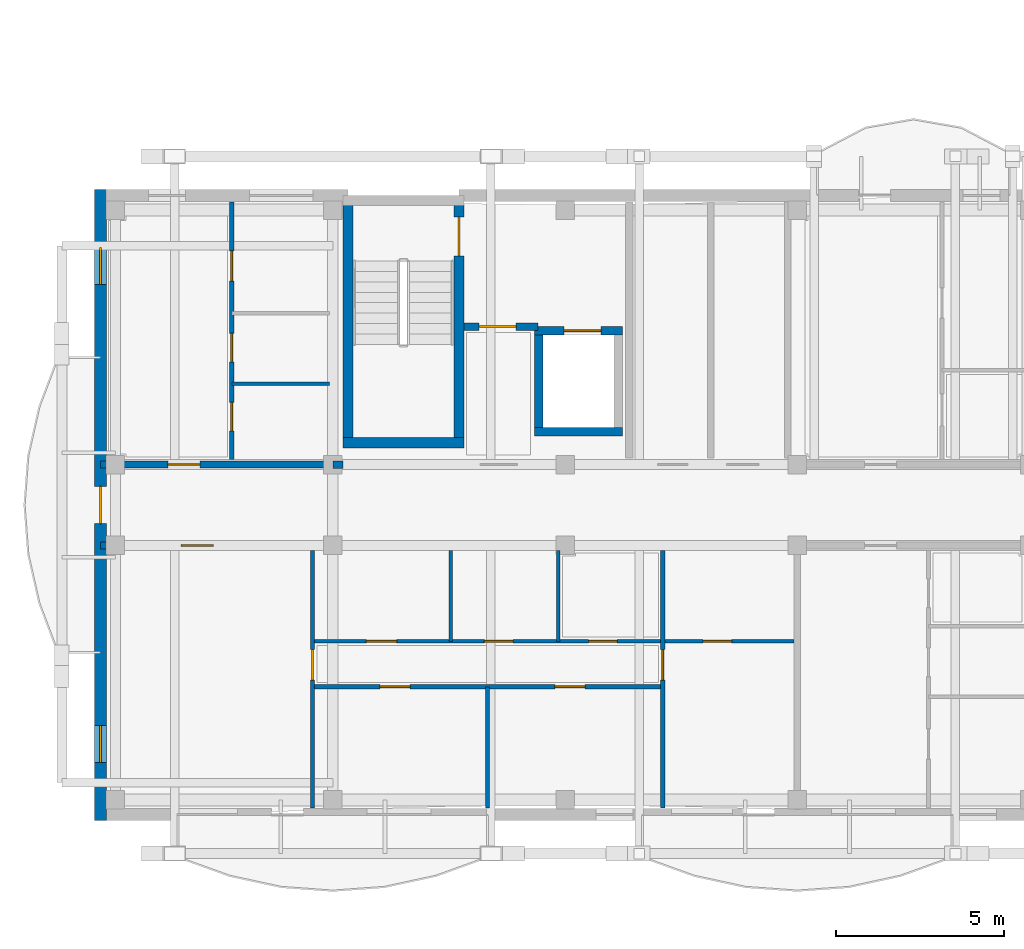
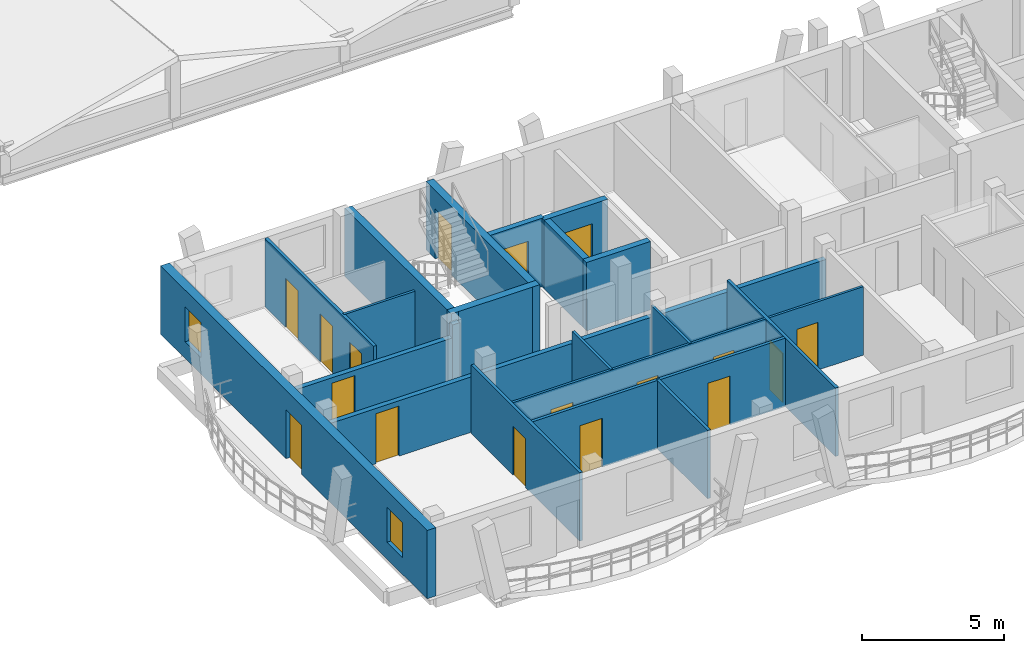
# One storey, part 17 of 50: 20 walls, 17 doors, 2 windows, 19 openings.
"""IFC4 building model written with IfcOpenShell, lengths in metres."""

from ifc_helpers import new_model, si_unit, direction, frame, frame_2d, origin, origin_with_axes, place, context, subcontext, project, spatial, rectangle, extrude, material, layer, layer_set, type_object, element, fill, save


model = new_model("IFC4")

# Units and contexts
model_context = context("Model", 3, precision=1e-05, world=origin(), true_north=direction((0.0, 1.0)))
body_context = subcontext(model_context, "Body", "Model", "MODEL_VIEW")
ifc_project = project(units=[si_unit("LENGTHUNIT", "METRE"), si_unit("AREAUNIT", "SQUARE_METRE"), si_unit("VOLUMEUNIT", "CUBIC_METRE"), si_unit("PLANEANGLEUNIT", "RADIAN"), si_unit("MASSUNIT", "GRAM", prefix="KILO")], contexts=[model_context])

# Site, building, storey
site_placement = place(None, origin())
site = spatial("IfcSite", under=ifc_project, at=site_placement, CompositionType="ELEMENT")
building_placement = place(site_placement, origin())
building = spatial("IfcBuilding", under=site, at=building_placement, Name="Zavelmont Quarter", CompositionType="ELEMENT")
storey_placement = place(building_placement, frame((0.0, 0.0, 11.199951171875)))
storey = spatial("IfcBuildingStorey", under=building, at=storey_placement, Name="L03", CompositionType="ELEMENT", Elevation=11.199951171875)

# Wall, openings, door, windows
ifc_material_1 = material(Name="Natural Belgian limestone", Category="masonry")
ifc_layer_1 = layer(ifc_material_1, 0.360107421875)
ifc_layer_set_1 = layer_set([ifc_layer_1], Name="Natural Belgian limestone")
wall_type_1 = type_object("IfcWallType", Name="EW02", PredefinedType="STANDARD", material=ifc_layer_set_1)
wall_1_placement = place(storey_placement, frame((0.0, -0.179931640625, 0.0), z_axis=(0.0, 0.0, 1.0), x_axis=(0.0, 1.0, 0.0)))
wall_1 = element("IfcWall", 1, at=wall_1_placement, inside=storey, type_object=wall_type_1, Name="L03 exterior limestone wall EW02", PredefinedType="STANDARD", context=body_context, shape_type="SweptSolid", body=[
    extrude(rectangle(XDim=18.760009765625, YDim=0.360107421875, at=frame_2d((9.3798828125, 0.0))), origin(), (0.0, 0.0, 1.0), 2.93994140625),
])
opening_1_placement = place(wall_1_placement, frame((8.830078125, 0.0, 0.0)))
opening_1 = element("IfcOpeningElement", 2, at=opening_1_placement, cuts=wall_1, Name="Opening DR04B", PredefinedType="OPENING", context=body_context, shape_type="SweptSolid", body=[
    extrude(rectangle(XDim=1.10009765625, YDim=2.10009765625, at=frame_2d((0.550048828125, 1.050048828125))), frame((0.0, 0.19189453125, 0.0), z_axis=(0.0, -1.0, 0.0), x_axis=(1.0, 0.0, 0.0)), (0.0, 0.0, 1.0), 0.384033203125),
])
opening_2_placement = place(wall_1_placement, frame((1.72998046875, 0.0, 0.719970703125)))
opening_2 = element("IfcOpeningElement", 3, at=opening_2_placement, cuts=wall_1, Name="Opening WN09", PredefinedType="OPENING", context=body_context, shape_type="SweptSolid", body=[
    extrude(rectangle(XDim=1.10009765625, YDim=1.5, at=frame_2d((0.550048828125, 0.75))), frame((0.0, 0.19189453125, 0.0), z_axis=(0.0, -1.0, 0.0), x_axis=(1.0, 0.0, 0.0)), (0.0, 0.0, 1.0), 0.384033203125),
])
opening_3_placement = place(wall_1_placement, frame((15.929931640625, 0.0, 0.719970703125)))
opening_3 = element("IfcOpeningElement", 4, at=opening_3_placement, cuts=wall_1, Name="Opening WN09", PredefinedType="OPENING", context=body_context, shape_type="SweptSolid", body=[
    extrude(rectangle(XDim=1.10009765625, YDim=1.5, at=frame_2d((0.550048828125, 0.75))), frame((0.0, 0.19189453125, 0.0), z_axis=(0.0, -1.0, 0.0), x_axis=(1.0, 0.0, 0.0)), (0.0, 0.0, 1.0), 0.384033203125),
])
ifc_material_2 = material(Name="Thermally broken aluminium and double safety glass", Category="aluminium")
door_type_1 = type_object("IfcDoorType", Name="DR04B", OperationType="NOTDEFINED", PredefinedType="DOOR", material=ifc_material_2)
door_1_placement = place(opening_1_placement, frame((1.10009765625, 0.0, 0.0), z_axis=(0.0, 0.0, 1.0), x_axis=(-1.0, 0.0, 0.0)))
door_1 = element("IfcDoor", 5, at=door_1_placement, inside=storey, type_object=door_type_1, Name="Block A L03 terrace or vase balcony door", OperationType="SINGLE_SWING_LEFT", OverallHeight=2.10009765625, OverallWidth=1.10009765625, PredefinedType="DOOR", context=body_context, shape_type="SweptSolid", body=[
    extrude(rectangle(XDim=1.10009765625, YDim=2.10009765625, at=frame_2d((0.550048828125, 1.050048828125))), frame((0.0, 0.02490234375, 0.0), z_axis=(0.0, -1.0, 0.0), x_axis=(1.0, 0.0, 0.0)), (0.0, 0.0, 1.0), 0.050048828125),
])
fill(opening_1, door_1)
ifc_material_3 = material(Name="Double low-E insulated glazing in thermally broken aluminium frame", Category="aluminium")
window_type = type_object("IfcWindowType", Name="WN09", PartitioningType="SINGLE_PANEL", PredefinedType="WINDOW", material=ifc_material_3)
window_1_placement = place(opening_2_placement, origin_with_axes())
window_1 = element("IfcWindow", 6, at=window_1_placement, inside=storey, type_object=window_type, Name="L03 window WN09", OverallHeight=1.5, OverallWidth=1.10009765625, PartitioningType="SINGLE_PANEL", PredefinedType="WINDOW", context=body_context, shape_type="SweptSolid", body=[
    extrude(rectangle(XDim=1.10009765625, YDim=1.5, at=frame_2d((0.550048828125, 0.75))), frame((0.0, 0.030029296875, 0.0), z_axis=(0.0, -1.0, 0.0), x_axis=(1.0, 0.0, 0.0)), (0.0, 0.0, 1.0), 0.06005859375),
])
fill(opening_2, window_1)
window_2_placement = place(opening_3_placement, origin_with_axes())
window_2 = element("IfcWindow", 7, at=window_2_placement, inside=storey, type_object=window_type, Name="L03 window WN09", OverallHeight=1.5, OverallWidth=1.10009765625, PartitioningType="SINGLE_PANEL", PredefinedType="WINDOW", context=body_context, shape_type="SweptSolid", body=[
    extrude(rectangle(XDim=1.10009765625, YDim=1.5, at=frame_2d((0.550048828125, 0.75))), frame((0.0, 0.030029296875, 0.0), z_axis=(0.0, -1.0, 0.0), x_axis=(1.0, 0.0, 0.0)), (0.0, 0.0, 1.0), 0.06005859375),
])
fill(opening_3, window_2)

# Wall, opening, door
ifc_material_4 = material(Name="Calcium-silicate blockwork and acoustic plaster", Category="masonry")
ifc_layer_2 = layer(ifc_material_4, 0.199951171875)
ifc_layer_set_2 = layer_set([ifc_layer_2], Name="Calcium-silicate blockwork and acoustic plaster")
wall_type_2 = type_object("IfcWallType", Name="IW01", PredefinedType="PARTITIONING", material=ifc_layer_set_2)
wall_2_placement = place(storey_placement, frame((0.0, 8.0, 0.0), z_axis=(0.0, 0.0, 1.0), x_axis=(1.0, 0.0, 0.0)))
wall_2 = element("IfcWall", 8, at=wall_2_placement, inside=storey, type_object=wall_type_2, Name="L03 Corridor compartment wall IW01", PredefinedType="PARTITIONING", context=body_context, shape_type="SweptSolid", body=[
    extrude(rectangle(XDim=20.699951171875, YDim=0.199951171875, at=frame_2d((10.35009765625, 0.0))), origin(), (0.0, 0.0, 1.0), 2.380126953125),
])
opening_4_placement = place(wall_2_placement, frame((2.39990234375, 0.0, 0.0)))
opening_4 = element("IfcOpeningElement", 9, at=opening_4_placement, cuts=wall_2, Name="Opening DR02", PredefinedType="OPENING", context=body_context, shape_type="SweptSolid", body=[
    extrude(rectangle(XDim=0.949951171875, YDim=2.14990234375, at=frame_2d((0.47509765625, 1.074951171875))), frame((0.0, 0.11181640625, 0.0), z_axis=(0.0, -1.0, 0.0), x_axis=(1.0, 0.0, 0.0)), (0.0, 0.0, 1.0), 0.223876953125),
])
ifc_material_5 = material(Name="Solid-core oak fire leaf in steel frame", Category="steel")
door_type_2 = type_object("IfcDoorType", Name="DR02", OperationType="NOTDEFINED", PredefinedType="DOOR", material=ifc_material_5)
door_2_placement = place(opening_4_placement, frame((0.949951171875, 0.0, 0.0), z_axis=(0.0, 0.0, 1.0), x_axis=(-1.0, 0.0, 0.0)))
door_2 = element("IfcDoor", 10, at=door_2_placement, inside=storey, type_object=door_type_2, Name="L03 door DR02", OperationType="SINGLE_SWING_LEFT", OverallHeight=2.14990234375, OverallWidth=0.949951171875, PredefinedType="DOOR", context=body_context, shape_type="SweptSolid", body=[
    extrude(rectangle(XDim=0.949951171875, YDim=2.14990234375, at=frame_2d((0.47509765625, 1.074951171875))), frame((0.0, 0.02490234375, 0.0), z_axis=(0.0, -1.0, 0.0), x_axis=(1.0, 0.0, 0.0)), (0.0, 0.0, 1.0), 0.050048828125),
])
fill(opening_4, door_2)

wall_3_placement = place(storey_placement, frame((0.0, 10.39990234375, 0.0), z_axis=(0.0, 0.0, 1.0), x_axis=(1.0, 0.0, 0.0)))
wall_3 = element("IfcWall", 11, at=wall_3_placement, inside=storey, type_object=wall_type_2, Name="L03 Corridor compartment wall IW01", PredefinedType="PARTITIONING", context=body_context, shape_type="SweptSolid", body=[
    extrude(rectangle(XDim=6.89990234375, YDim=0.199951171875, at=frame_2d((3.449951171875, 0.0))), origin(), (0.0, 0.0, 1.0), 2.380126953125),
])
opening_5_placement = place(wall_3_placement, frame((2.0, 0.0, 0.0)))
opening_5 = element("IfcOpeningElement", 12, at=opening_5_placement, cuts=wall_3, Name="Opening DR02", PredefinedType="OPENING", context=body_context, shape_type="SweptSolid", body=[
    extrude(rectangle(XDim=0.949951171875, YDim=2.14990234375, at=frame_2d((0.47509765625, 1.074951171875))), frame((0.0, 0.11181640625, 0.0), z_axis=(0.0, -1.0, 0.0), x_axis=(1.0, 0.0, 0.0)), (0.0, 0.0, 1.0), 0.223876953125),
])
door_3_placement = place(opening_5_placement, origin_with_axes())
door_3 = element("IfcDoor", 13, at=door_3_placement, inside=storey, type_object=door_type_2, Name="L03 door DR02", OperationType="SINGLE_SWING_LEFT", OverallHeight=2.14990234375, OverallWidth=0.949951171875, PredefinedType="DOOR", context=body_context, shape_type="SweptSolid", body=[
    extrude(rectangle(XDim=0.949951171875, YDim=2.14990234375, at=frame_2d((0.47509765625, 1.074951171875))), frame((0.0, 0.02490234375, 0.0), z_axis=(0.0, -1.0, 0.0), x_axis=(1.0, 0.0, 0.0)), (0.0, 0.0, 1.0), 0.050048828125),
])
fill(opening_5, door_3)

ifc_material_6 = material(Name="Reinforced masonry fire compartment wall", Category="masonry")
ifc_layer_3 = layer(ifc_material_6, 0.22509765625)
ifc_layer_set_3 = layer_set([ifc_layer_3], Name="Reinforced masonry fire compartment wall")
wall_type_3 = type_object("IfcWallType", Name="IW02", PredefinedType="PARTITIONING", material=ifc_layer_set_3)
wall_4_placement = place(storey_placement, frame((10.800048828125, 14.5, 0.0), z_axis=(0.0, 0.0, 1.0), x_axis=(1.0, 0.0, 0.0)))
wall_4 = element("IfcWall", 14, at=wall_4_placement, inside=storey, type_object=wall_type_3, Name="L03 Firefighting lobby threshold wall IW02", PredefinedType="PARTITIONING", context=body_context, shape_type="SweptSolid", body=[
    extrude(rectangle(XDim=2.199951171875, YDim=0.22509765625, at=frame_2d((1.10009765625, 0.0))), origin(), (0.0, 0.0, 1.0), 2.93994140625),
])
opening_6_placement = place(wall_4_placement, frame((0.449951171875, 0.0, 0.0)))
opening_6 = element("IfcOpeningElement", 15, at=opening_6_placement, cuts=wall_4, Name="Opening DR10", PredefinedType="OPENING", context=body_context, shape_type="SweptSolid", body=[
    extrude(rectangle(XDim=1.10009765625, YDim=2.14990234375, at=frame_2d((0.550048828125, 1.074951171875))), frame((0.0, 0.12451171875, 0.0), z_axis=(0.0, -1.0, 0.0), x_axis=(1.0, 0.0, 0.0)), (0.0, 0.0, 1.0), 0.2490234375),
])
ifc_material_7 = material(Name="Painted steel lobby fire door", Category="steel")
door_type_3 = type_object("IfcDoorType", Name="DR10", OperationType="NOTDEFINED", PredefinedType="DOOR", material=ifc_material_7)
door_4_placement = place(opening_6_placement, origin_with_axes())
door_4 = element("IfcDoor", 16, at=door_4_placement, inside=storey, type_object=door_type_3, Name="Firefighting lobby fire door", OperationType="SINGLE_SWING_LEFT", OverallHeight=2.14990234375, OverallWidth=1.10009765625, PredefinedType="DOOR", context=body_context, shape_type="SweptSolid", body=[
    extrude(rectangle(XDim=1.10009765625, YDim=2.14990234375, at=frame_2d((0.550048828125, 1.074951171875))), frame((0.0, 0.02490234375, 0.0), z_axis=(0.0, -1.0, 0.0), x_axis=(1.0, 0.0, 0.0)), (0.0, 0.0, 1.0), 0.050048828125),
])
fill(opening_6, door_4)

# Wall
wall_5_placement = place(storey_placement, frame((6.89990234375, 10.39990234375, 0.0), z_axis=(0.0, 0.0, 1.0), x_axis=(1.0, 0.0, 0.0)))
element("IfcWall", 17, at=wall_5_placement, inside=storey, type_object=wall_type_3, Name="L03 Core corridor wall IW02", PredefinedType="PARTITIONING", context=body_context, shape_type="SweptSolid", body=[
    extrude(rectangle(XDim=0.300048828125, YDim=0.22509765625, at=frame_2d((0.14990234375, 0.0))), origin(), (0.0, 0.0, 1.0), 2.93994140625),
])

# Wall, opening, door
ifc_material_8 = material(Name="Double gypsum board on acoustic steel stud", Category="steel")
ifc_layer_4 = layer(ifc_material_8, 0.125)
ifc_layer_set_4 = layer_set([ifc_layer_4], Name="Double gypsum board on acoustic steel stud")
wall_type_4 = type_object("IfcWallType", Name="IW03", PredefinedType="PARTITIONING", material=ifc_layer_set_4)
wall_6_placement = place(storey_placement, frame((6.300048828125, 7.85009765625, 0.0), z_axis=(0.0, 0.0, 1.0), x_axis=(0.0, -1.0, 0.0)))
wall_6 = element("IfcWall", 18, at=wall_6_placement, inside=storey, type_object=wall_type_4, Name="L03 Partition IW03", PredefinedType="PARTITIONING", context=body_context, shape_type="SweptSolid", body=[
    extrude(rectangle(XDim=7.650146484375, YDim=0.125, at=frame_2d((3.8251953125, 0.0))), origin(), (0.0, 0.0, 1.0), 2.93994140625),
])
opening_7_placement = place(wall_6_placement, frame((2.949951171875, 0.0, 0.0)))
opening_7 = element("IfcOpeningElement", 19, at=opening_7_placement, cuts=wall_6, Name="Opening DR05", PredefinedType="OPENING", context=body_context, shape_type="SweptSolid", body=[
    extrude(rectangle(XDim=0.89990234375, YDim=2.10009765625, at=frame_2d((0.449951171875, 1.050048828125))), frame((0.0, 0.074462890625, 0.0), z_axis=(0.0, -1.0, 0.0), x_axis=(1.0, 0.0, 0.0)), (0.0, 0.0, 1.0), 0.14892578125),
])
ifc_material_9 = material(Name="Engineered oak flush interior door")
door_type_4 = type_object("IfcDoorType", Name="DR05", OperationType="NOTDEFINED", PredefinedType="DOOR", material=ifc_material_9)
door_5_placement = place(opening_7_placement, origin_with_axes())
door_5 = element("IfcDoor", 20, at=door_5_placement, inside=storey, type_object=door_type_4, Name="L03 door DR05", OperationType="SINGLE_SWING_LEFT", OverallHeight=2.10009765625, OverallWidth=0.89990234375, PredefinedType="DOOR", context=body_context, shape_type="SweptSolid", body=[
    extrude(rectangle(XDim=0.89990234375, YDim=2.10009765625, at=frame_2d((0.449951171875, 1.050048828125))), frame((0.0, 0.02490234375, 0.0), z_axis=(0.0, -1.0, 0.0), x_axis=(1.0, 0.0, 0.0)), (0.0, 0.0, 1.0), 0.050048828125),
])
fill(opening_7, door_5)

# Wall
wall_7_placement = place(storey_placement, frame((11.5, 3.800048828125, 0.0), z_axis=(0.0, 0.0, 1.0), x_axis=(0.0, -1.0, 0.0)))
element("IfcWall", 21, at=wall_7_placement, inside=storey, type_object=wall_type_4, Name="L03 Partition IW03", PredefinedType="PARTITIONING", context=body_context, shape_type="SweptSolid", body=[
    extrude(rectangle(XDim=3.60009765625, YDim=0.125, at=frame_2d((1.800048828125, 0.0))), origin(), (0.0, 0.0, 1.0), 2.93994140625),
])

# Wall, opening, door
wall_8_placement = place(storey_placement, frame((16.699951171875, 7.85009765625, 0.0), z_axis=(0.0, 0.0, 1.0), x_axis=(0.0, -1.0, 0.0)))
wall_8 = element("IfcWall", 22, at=wall_8_placement, inside=storey, type_object=wall_type_4, Name="L03 Partition IW03", PredefinedType="PARTITIONING", context=body_context, shape_type="SweptSolid", body=[
    extrude(rectangle(XDim=7.650146484375, YDim=0.125, at=frame_2d((3.8251953125, 0.0))), origin(), (0.0, 0.0, 1.0), 2.93994140625),
])
opening_8_placement = place(wall_8_placement, frame((2.949951171875, 0.0, 0.0)))
opening_8 = element("IfcOpeningElement", 23, at=opening_8_placement, cuts=wall_8, Name="Opening DR05", PredefinedType="OPENING", context=body_context, shape_type="SweptSolid", body=[
    extrude(rectangle(XDim=0.89990234375, YDim=2.10009765625, at=frame_2d((0.449951171875, 1.050048828125))), frame((0.0, 0.074462890625, 0.0), z_axis=(0.0, -1.0, 0.0), x_axis=(1.0, 0.0, 0.0)), (0.0, 0.0, 1.0), 0.14892578125),
])
door_6_placement = place(opening_8_placement, frame((0.89990234375, 0.0, 0.0), z_axis=(0.0, 0.0, 1.0), x_axis=(-1.0, 0.0, 0.0)))
door_6 = element("IfcDoor", 24, at=door_6_placement, inside=storey, type_object=door_type_4, Name="L03 door DR05", OperationType="SINGLE_SWING_RIGHT", OverallHeight=2.10009765625, OverallWidth=0.89990234375, PredefinedType="DOOR", context=body_context, shape_type="SweptSolid", body=[
    extrude(rectangle(XDim=0.89990234375, YDim=2.10009765625, at=frame_2d((0.449951171875, 1.050048828125))), frame((0.0, 0.02490234375, 0.0), z_axis=(0.0, -1.0, 0.0), x_axis=(1.0, 0.0, 0.0)), (0.0, 0.0, 1.0), 0.050048828125),
])
fill(opening_8, door_6)

# Wall, openings, doors
wall_9_placement = place(storey_placement, frame((6.300048828125, 3.800048828125, 0.0), z_axis=(0.0, 0.0, 1.0), x_axis=(1.0, 0.0, 0.0)))
wall_9 = element("IfcWall", 25, at=wall_9_placement, inside=storey, type_object=wall_type_4, Name="L03 Partition IW03", PredefinedType="PARTITIONING", context=body_context, shape_type="SweptSolid", body=[
    extrude(rectangle(XDim=10.39990234375, YDim=0.125, at=frame_2d((5.199951171875, 0.0))), origin(), (0.0, 0.0, 1.0), 2.93994140625),
])
opening_9_placement = place(wall_9_placement, frame((2.0, 0.0, 0.0)))
opening_9 = element("IfcOpeningElement", 26, at=opening_9_placement, cuts=wall_9, Name="Opening DR05", PredefinedType="OPENING", context=body_context, shape_type="SweptSolid", body=[
    extrude(rectangle(XDim=0.89990234375, YDim=2.10009765625, at=frame_2d((0.449951171875, 1.050048828125))), frame((0.0, 0.074462890625, 0.0), z_axis=(0.0, -1.0, 0.0), x_axis=(1.0, 0.0, 0.0)), (0.0, 0.0, 1.0), 0.14892578125),
])
opening_10_placement = place(wall_9_placement, frame((7.199951171875, 0.0, 0.0)))
opening_10 = element("IfcOpeningElement", 27, at=opening_10_placement, cuts=wall_9, Name="Opening DR05", PredefinedType="OPENING", context=body_context, shape_type="SweptSolid", body=[
    extrude(rectangle(XDim=0.89990234375, YDim=2.10009765625, at=frame_2d((0.449951171875, 1.050048828125))), frame((0.0, 0.074462890625, 0.0), z_axis=(0.0, -1.0, 0.0), x_axis=(1.0, 0.0, 0.0)), (0.0, 0.0, 1.0), 0.14892578125),
])
door_7_placement = place(opening_9_placement, origin_with_axes())
door_7 = element("IfcDoor", 28, at=door_7_placement, inside=storey, type_object=door_type_4, Name="L03 door DR05", OperationType="SINGLE_SWING_LEFT", OverallHeight=2.10009765625, OverallWidth=0.89990234375, PredefinedType="DOOR", context=body_context, shape_type="SweptSolid", body=[
    extrude(rectangle(XDim=0.89990234375, YDim=2.10009765625, at=frame_2d((0.449951171875, 1.050048828125))), frame((0.0, 0.02490234375, 0.0), z_axis=(0.0, -1.0, 0.0), x_axis=(1.0, 0.0, 0.0)), (0.0, 0.0, 1.0), 0.050048828125),
])
fill(opening_9, door_7)
door_8_placement = place(opening_10_placement, frame((0.89990234375, 0.0, 0.0), z_axis=(0.0, 0.0, 1.0), x_axis=(-1.0, 0.0, 0.0)))
door_8 = element("IfcDoor", 29, at=door_8_placement, inside=storey, type_object=door_type_4, Name="L03 door DR05", OperationType="SINGLE_SWING_RIGHT", OverallHeight=2.10009765625, OverallWidth=0.89990234375, PredefinedType="DOOR", context=body_context, shape_type="SweptSolid", body=[
    extrude(rectangle(XDim=0.89990234375, YDim=2.10009765625, at=frame_2d((0.449951171875, 1.050048828125))), frame((0.0, 0.02490234375, 0.0), z_axis=(0.0, -1.0, 0.0), x_axis=(1.0, 0.0, 0.0)), (0.0, 0.0, 1.0), 0.050048828125),
])
fill(opening_10, door_8)

wall_10_placement = place(storey_placement, frame((3.89990234375, 10.550048828125, 0.0), z_axis=(0.0, 0.0, 1.0), x_axis=(0.0, 1.0, 0.0)))
wall_10 = element("IfcWall", 30, at=wall_10_placement, inside=storey, type_object=wall_type_4, Name="L03 Partition IW03", PredefinedType="PARTITIONING", context=body_context, shape_type="SweptSolid", body=[
    extrude(rectangle(XDim=7.64990234375, YDim=0.125, at=frame_2d((3.824951171875, 0.0))), origin(), (0.0, 0.0, 1.0), 2.93994140625),
])
opening_11_placement = place(wall_10_placement, frame((0.85009765625, 0.0, 0.0)))
opening_11 = element("IfcOpeningElement", 31, at=opening_11_placement, cuts=wall_10, Name="Opening DR16", PredefinedType="OPENING", context=body_context, shape_type="SweptSolid", body=[
    extrude(rectangle(XDim=0.85009765625, YDim=2.10009765625, at=frame_2d((0.425048828125, 1.050048828125))), frame((0.0, 0.074462890625, 0.0), z_axis=(0.0, -1.0, 0.0), x_axis=(1.0, 0.0, 0.0)), (0.0, 0.0, 1.0), 0.14892578125),
])
opening_12_placement = place(wall_10_placement, frame((2.89990234375, 0.0, 0.0)))
opening_12 = element("IfcOpeningElement", 32, at=opening_12_placement, cuts=wall_10, Name="Opening DR06", PredefinedType="OPENING", context=body_context, shape_type="SweptSolid", body=[
    extrude(rectangle(XDim=0.85009765625, YDim=2.050048828125, at=frame_2d((0.425048828125, 1.02490234375))), frame((0.0, 0.074462890625, 0.0), z_axis=(0.0, -1.0, 0.0), x_axis=(1.0, 0.0, 0.0)), (0.0, 0.0, 1.0), 0.14892578125),
])
opening_13_placement = place(wall_10_placement, frame((5.300048828125, 0.0, 0.0)))
opening_13 = element("IfcOpeningElement", 33, at=opening_13_placement, cuts=wall_10, Name="Opening DR05", PredefinedType="OPENING", context=body_context, shape_type="SweptSolid", body=[
    extrude(rectangle(XDim=0.89990234375, YDim=2.10009765625, at=frame_2d((0.449951171875, 1.050048828125))), frame((0.0, 0.074462890625, 0.0), z_axis=(0.0, -1.0, 0.0), x_axis=(1.0, 0.0, 0.0)), (0.0, 0.0, 1.0), 0.14892578125),
])
door_9_placement = place(opening_13_placement, origin_with_axes())
door_9 = element("IfcDoor", 34, at=door_9_placement, inside=storey, type_object=door_type_4, Name="L03 door DR05", OperationType="SINGLE_SWING_LEFT", OverallHeight=2.10009765625, OverallWidth=0.89990234375, PredefinedType="DOOR", context=body_context, shape_type="SweptSolid", body=[
    extrude(rectangle(XDim=0.89990234375, YDim=2.10009765625, at=frame_2d((0.449951171875, 1.050048828125))), frame((0.0, 0.02490234375, 0.0), z_axis=(0.0, -1.0, 0.0), x_axis=(1.0, 0.0, 0.0)), (0.0, 0.0, 1.0), 0.050048828125),
])
fill(opening_13, door_9)
ifc_material_10 = material(Name="Moisture-resistant painted wet-room door")
door_type_5 = type_object("IfcDoorType", Name="DR06", OperationType="NOTDEFINED", PredefinedType="DOOR", material=ifc_material_10)
door_10_placement = place(opening_12_placement, frame((0.85009765625, 0.0, 0.0), z_axis=(0.0, 0.0, 1.0), x_axis=(-1.0, 0.0, 0.0)))
door_10 = element("IfcDoor", 35, at=door_10_placement, inside=storey, type_object=door_type_5, Name="L03 door DR06", OperationType="SINGLE_SWING_RIGHT", OverallHeight=2.050048828125, OverallWidth=0.85009765625, PredefinedType="DOOR", context=body_context, shape_type="SweptSolid", body=[
    extrude(rectangle(XDim=0.85009765625, YDim=2.050048828125, at=frame_2d((0.425048828125, 1.02490234375))), frame((0.0, 0.02490234375, 0.0), z_axis=(0.0, -1.0, 0.0), x_axis=(1.0, 0.0, 0.0)), (0.0, 0.0, 1.0), 0.050048828125),
])
fill(opening_12, door_10)
door_type_6 = type_object("IfcDoorType", Name="DR16", OperationType="NOTDEFINED", PredefinedType="DOOR", material=ifc_material_9)
door_11_placement = place(opening_11_placement, origin_with_axes())
door_11 = element("IfcDoor", 36, at=door_11_placement, inside=storey, type_object=door_type_6, Name="L03 door DR16", OperationType="SINGLE_SWING_LEFT", OverallHeight=2.10009765625, OverallWidth=0.85009765625, PredefinedType="DOOR", context=body_context, shape_type="SweptSolid", body=[
    extrude(rectangle(XDim=0.85009765625, YDim=2.10009765625, at=frame_2d((0.425048828125, 1.050048828125))), frame((0.0, 0.02490234375, 0.0), z_axis=(0.0, -1.0, 0.0), x_axis=(1.0, 0.0, 0.0)), (0.0, 0.0, 1.0), 0.050048828125),
])
fill(opening_11, door_11)

# Walls
ifc_material_11 = material(Name="Moisture-resistant gypsum board on steel stud", Category="steel")
ifc_layer_5 = layer(ifc_material_11, 0.10009765625)
ifc_layer_set_5 = layer_set([ifc_layer_5], Name="Moisture-resistant gypsum board on steel stud")
wall_type_5 = type_object("IfcWallType", Name="IW04", PredefinedType="PARTITIONING", material=ifc_layer_set_5)
for number, where, z_axis, x_axis, name in (
    (37, (10.39990234375, 7.85009765625, 0.0), (0.0, 0.0, 1.0), (0.0, -1.0, 0.0), "L03 Partition IW04"),
    (38, (13.60009765625, 7.85009765625, 0.0), (0.0, 0.0, 1.0), (0.0, -1.0, 0.0), "L03 Partition IW04"),
):
    element("IfcWall", number, at=place(storey_placement, frame(where, z_axis=z_axis, x_axis=x_axis)), inside=storey, type_object=wall_type_5, Name=name, PredefinedType="PARTITIONING", context=body_context, shape_type="SweptSolid", body=[
        extrude(rectangle(XDim=2.7001953125, YDim=0.10009765625, at=frame_2d((1.35009765625, 0.0))), origin(), (0.0, 0.0, 1.0), 2.93994140625),
    ])

# Wall, openings, doors
wall_11_placement = place(storey_placement, frame((6.300048828125, 5.14990234375, 0.0), z_axis=(0.0, 0.0, 1.0), x_axis=(1.0, 0.0, 0.0)))
wall_11 = element("IfcWall", 39, at=wall_11_placement, inside=storey, type_object=wall_type_5, Name="L03 Partition IW04", PredefinedType="PARTITIONING", context=body_context, shape_type="SweptSolid", body=[
    extrude(rectangle(XDim=14.300048828125, YDim=0.10009765625, at=frame_2d((7.14990234375, 0.0))), origin(), (0.0, 0.0, 1.0), 2.93994140625),
])
opening_14_placement = place(wall_11_placement, frame((1.60009765625, 0.0, 0.0)))
opening_14 = element("IfcOpeningElement", 40, at=opening_14_placement, cuts=wall_11, Name="Opening DR05", PredefinedType="OPENING", context=body_context, shape_type="SweptSolid", body=[
    extrude(rectangle(XDim=0.89990234375, YDim=2.10009765625, at=frame_2d((0.449951171875, 1.050048828125))), frame((0.0, 0.06201171875, 0.0), z_axis=(0.0, -1.0, 0.0), x_axis=(1.0, 0.0, 0.0)), (0.0, 0.0, 1.0), 0.1240234375),
])
opening_15_placement = place(wall_11_placement, frame((5.10009765625, 0.0, 0.0)))
opening_15 = element("IfcOpeningElement", 41, at=opening_15_placement, cuts=wall_11, Name="Opening DR06", PredefinedType="OPENING", context=body_context, shape_type="SweptSolid", body=[
    extrude(rectangle(XDim=0.85009765625, YDim=2.050048828125, at=frame_2d((0.425048828125, 1.02490234375))), frame((0.0, 0.06201171875, 0.0), z_axis=(0.0, -1.0, 0.0), x_axis=(1.0, 0.0, 0.0)), (0.0, 0.0, 1.0), 0.1240234375),
])
opening_16_placement = place(wall_11_placement, frame((8.199951171875, 0.0, 0.0)))
opening_16 = element("IfcOpeningElement", 42, at=opening_16_placement, cuts=wall_11, Name="Opening DR06", PredefinedType="OPENING", context=body_context, shape_type="SweptSolid", body=[
    extrude(rectangle(XDim=0.85009765625, YDim=2.050048828125, at=frame_2d((0.425048828125, 1.02490234375))), frame((0.0, 0.06201171875, 0.0), z_axis=(0.0, -1.0, 0.0), x_axis=(1.0, 0.0, 0.0)), (0.0, 0.0, 1.0), 0.1240234375),
])
opening_17_placement = place(wall_11_placement, frame((11.60009765625, 0.0, 0.0)))
opening_17 = element("IfcOpeningElement", 43, at=opening_17_placement, cuts=wall_11, Name="Opening DR06", PredefinedType="OPENING", context=body_context, shape_type="SweptSolid", body=[
    extrude(rectangle(XDim=0.85009765625, YDim=2.050048828125, at=frame_2d((0.425048828125, 1.02490234375))), frame((0.0, 0.06201171875, 0.0), z_axis=(0.0, -1.0, 0.0), x_axis=(1.0, 0.0, 0.0)), (0.0, 0.0, 1.0), 0.1240234375),
])
door_12_placement = place(opening_14_placement, origin_with_axes())
door_12 = element("IfcDoor", 44, at=door_12_placement, inside=storey, type_object=door_type_4, Name="L03 door DR05", OperationType="SINGLE_SWING_LEFT", OverallHeight=2.10009765625, OverallWidth=0.89990234375, PredefinedType="DOOR", context=body_context, shape_type="SweptSolid", body=[
    extrude(rectangle(XDim=0.89990234375, YDim=2.10009765625, at=frame_2d((0.449951171875, 1.050048828125))), frame((0.0, 0.02490234375, 0.0), z_axis=(0.0, -1.0, 0.0), x_axis=(1.0, 0.0, 0.0)), (0.0, 0.0, 1.0), 0.050048828125),
])
fill(opening_14, door_12)
door_13_placement = place(opening_15_placement, frame((0.85009765625, 0.0, 0.0), z_axis=(0.0, 0.0, 1.0), x_axis=(-1.0, 0.0, 0.0)))
door_13 = element("IfcDoor", 45, at=door_13_placement, inside=storey, type_object=door_type_5, Name="L03 door DR06", OperationType="SINGLE_SWING_RIGHT", OverallHeight=2.050048828125, OverallWidth=0.85009765625, PredefinedType="DOOR", context=body_context, shape_type="SweptSolid", body=[
    extrude(rectangle(XDim=0.85009765625, YDim=2.050048828125, at=frame_2d((0.425048828125, 1.02490234375))), frame((0.0, 0.02490234375, 0.0), z_axis=(0.0, -1.0, 0.0), x_axis=(1.0, 0.0, 0.0)), (0.0, 0.0, 1.0), 0.050048828125),
])
fill(opening_15, door_13)
door_14_placement = place(opening_16_placement, origin_with_axes())
door_14 = element("IfcDoor", 46, at=door_14_placement, inside=storey, type_object=door_type_5, Name="L03 door DR06", OperationType="SINGLE_SWING_LEFT", OverallHeight=2.050048828125, OverallWidth=0.85009765625, PredefinedType="DOOR", context=body_context, shape_type="SweptSolid", body=[
    extrude(rectangle(XDim=0.85009765625, YDim=2.050048828125, at=frame_2d((0.425048828125, 1.02490234375))), frame((0.0, 0.02490234375, 0.0), z_axis=(0.0, -1.0, 0.0), x_axis=(1.0, 0.0, 0.0)), (0.0, 0.0, 1.0), 0.050048828125),
])
fill(opening_16, door_14)
door_15_placement = place(opening_17_placement, frame((0.85009765625, 0.0, 0.0), z_axis=(0.0, 0.0, 1.0), x_axis=(-1.0, 0.0, 0.0)))
door_15 = element("IfcDoor", 47, at=door_15_placement, inside=storey, type_object=door_type_5, Name="L03 door DR06", OperationType="SINGLE_SWING_RIGHT", OverallHeight=2.050048828125, OverallWidth=0.85009765625, PredefinedType="DOOR", context=body_context, shape_type="SweptSolid", body=[
    extrude(rectangle(XDim=0.85009765625, YDim=2.050048828125, at=frame_2d((0.425048828125, 1.02490234375))), frame((0.0, 0.02490234375, 0.0), z_axis=(0.0, -1.0, 0.0), x_axis=(1.0, 0.0, 0.0)), (0.0, 0.0, 1.0), 0.050048828125),
])
fill(opening_17, door_15)

# Walls
wall_12_placement = place(storey_placement, frame((3.89990234375, 12.800048828125, 0.0), z_axis=(0.0, 0.0, 1.0), x_axis=(1.0, 0.0, 0.0)))
element("IfcWall", 48, at=wall_12_placement, inside=storey, type_object=wall_type_5, Name="L03 Partition IW04", PredefinedType="PARTITIONING", context=body_context, shape_type="SweptSolid", body=[
    extrude(rectangle(XDim=2.900146484375, YDim=0.10009765625, at=frame_2d((1.4501953125, 0.0))), origin(), (0.0, 0.0, 1.0), 2.93994140625),
])
ifc_material_12 = material(Name="Concrete C40/50", Category="concrete")
ifc_layer_6 = layer(ifc_material_12, 0.300048828125)
ifc_layer_set_6 = layer_set([ifc_layer_6], Name="Concrete C40/50")
wall_type_6 = type_object("IfcWallType", Name="SW01", PredefinedType="SHEAR", material=ifc_layer_set_6)
wall_13_placement = place(storey_placement, frame((7.199951171875, 11.050048828125, 0.0), z_axis=(0.0, 0.0, 1.0), x_axis=(1.0, 0.0, 0.0)))
element("IfcWall", 49, at=wall_13_placement, inside=storey, type_object=wall_type_6, Name="L03 ST01 corridor shear wall SW01", PredefinedType="SHEAR", context=body_context, shape_type="SweptSolid", body=[
    extrude(rectangle(XDim=3.60009765625, YDim=0.300048828125, at=frame_2d((1.800048828125, 0.0))), origin(), (0.0, 0.0, 1.0), 2.93994140625),
])
wall_14_placement = place(storey_placement, frame((7.35009765625, 10.89990234375, 0.0), z_axis=(0.0, 0.0, 1.0), x_axis=(0.0, 1.0, 0.0)))
element("IfcWall", 50, at=wall_14_placement, inside=storey, type_object=wall_type_6, Name="L03 ST01 west shear wall SW01", PredefinedType="SHEAR", context=body_context, shape_type="SweptSolid", body=[
    extrude(rectangle(XDim=7.5, YDim=0.300048828125, at=frame_2d((3.75, 0.0))), origin(), (0.0, 0.0, 1.0), 2.93994140625),
])

# Wall, opening, door
wall_15_placement = place(storey_placement, frame((10.64990234375, 10.89990234375, 0.0), z_axis=(0.0, 0.0, 1.0), x_axis=(0.0, 1.0, 0.0)))
wall_15 = element("IfcWall", 51, at=wall_15_placement, inside=storey, type_object=wall_type_6, Name="L03 ST01 lobby shear wall SW01", PredefinedType="SHEAR", context=body_context, shape_type="SweptSolid", body=[
    extrude(rectangle(XDim=7.5, YDim=0.300048828125, at=frame_2d((3.75, 0.0))), origin(), (0.0, 0.0, 1.0), 2.93994140625),
])
opening_18_placement = place(wall_15_placement, frame((5.699951171875, 0.0, 0.0)))
opening_18 = element("IfcOpeningElement", 52, at=opening_18_placement, cuts=wall_15, Name="Opening DR09", PredefinedType="OPENING", context=body_context, shape_type="SweptSolid", body=[
    extrude(rectangle(XDim=1.14990234375, YDim=2.14990234375, at=frame_2d((0.574951171875, 1.074951171875))), frame((0.0, 0.162109375, 0.0), z_axis=(0.0, -1.0, 0.0), x_axis=(1.0, 0.0, 0.0)), (0.0, 0.0, 1.0), 0.323974609375),
])
ifc_material_13 = material(Name="Painted steel stair-core fire door", Category="steel")
door_type_7 = type_object("IfcDoorType", Name="DR09", OperationType="NOTDEFINED", PredefinedType="DOOR", material=ifc_material_13)
door_16_placement = place(opening_18_placement, origin_with_axes())
door_16 = element("IfcDoor", 53, at=door_16_placement, inside=storey, type_object=door_type_7, Name="ST01 protected stair door", OperationType="SINGLE_SWING_LEFT", OverallHeight=2.14990234375, OverallWidth=1.14990234375, PredefinedType="DOOR", context=body_context, shape_type="SweptSolid", body=[
    extrude(rectangle(XDim=1.14990234375, YDim=2.14990234375, at=frame_2d((0.574951171875, 1.074951171875))), frame((0.0, 0.02490234375, 0.0), z_axis=(0.0, -1.0, 0.0), x_axis=(1.0, 0.0, 0.0)), (0.0, 0.0, 1.0), 0.050048828125),
])
fill(opening_18, door_16)

ifc_layer_7 = layer(ifc_material_12, 0.25)
ifc_layer_set_7 = layer_set([ifc_layer_7], Name="Concrete C40/50")
wall_type_7 = type_object("IfcWallType", Name="SW02", PredefinedType="SHEAR", material=ifc_layer_set_7)
wall_16_placement = place(storey_placement, frame((12.89990234375, 14.375, 0.0), z_axis=(0.0, 0.0, 1.0), x_axis=(1.0, 0.0, 0.0)))
wall_16 = element("IfcWall", 54, at=wall_16_placement, inside=storey, type_object=wall_type_7, Name="L03 Lift FL01 landing shaft wall SW02", PredefinedType="SHEAR", context=body_context, shape_type="SweptSolid", body=[
    extrude(rectangle(XDim=2.60009765625, YDim=0.25, at=frame_2d((1.300048828125, 0.0))), origin(), (0.0, 0.0, 1.0), 2.93994140625),
])
opening_19_placement = place(wall_16_placement, frame((0.875, 0.0, 0.0)))
opening_19 = element("IfcOpeningElement", 55, at=opening_19_placement, cuts=wall_16, Name="Opening LD02", PredefinedType="OPENING", context=body_context, shape_type="SweptSolid", body=[
    extrude(rectangle(XDim=1.10009765625, YDim=2.10009765625, at=frame_2d((0.550048828125, 1.050048828125))), frame((0.0, 0.136962890625, 0.0), z_axis=(0.0, -1.0, 0.0), x_axis=(1.0, 0.0, 0.0)), (0.0, 0.0, 1.0), 0.27392578125),
])
ifc_material_14 = material(Name="Brushed stainless-steel firefighting lift landing door", Category="steel")
door_type_8 = type_object("IfcDoorType", Name="LD02", OperationType="SLIDING_TO_LEFT", PredefinedType="DOOR", material=ifc_material_14)
door_17_placement = place(opening_19_placement, origin_with_axes())
door_17 = element("IfcDoor", 56, at=door_17_placement, inside=storey, type_object=door_type_8, Name="Lift FL01 sliding landing door", OperationType="SLIDING_TO_LEFT", OverallHeight=2.10009765625, OverallWidth=1.10009765625, PredefinedType="DOOR", context=body_context, shape_type="SweptSolid", body=[
    extrude(rectangle(XDim=1.10009765625, YDim=2.10009765625, at=frame_2d((0.550048828125, 1.050048828125))), frame((0.0, 0.02490234375, 0.0), z_axis=(0.0, -1.0, 0.0), x_axis=(1.0, 0.0, 0.0)), (0.0, 0.0, 1.0), 0.050048828125),
])
fill(opening_19, door_17)

# Walls
wall_17_placement = place(storey_placement, frame((12.89990234375, 11.375, 0.0), z_axis=(0.0, 0.0, 1.0), x_axis=(1.0, 0.0, 0.0)))
element("IfcWall", 57, at=wall_17_placement, inside=storey, type_object=wall_type_7, Name="L03 Lift FL01 back shaft wall SW02", PredefinedType="SHEAR", context=body_context, shape_type="SweptSolid", body=[
    extrude(rectangle(XDim=2.60009765625, YDim=0.25, at=frame_2d((1.300048828125, 0.0))), origin(), (0.0, 0.0, 1.0), 2.93994140625),
])
wall_18_placement = place(storey_placement, frame((13.02490234375, 11.25, 0.0), z_axis=(0.0, 0.0, 1.0), x_axis=(0.0, 1.0, 0.0)))
element("IfcWall", 58, at=wall_18_placement, inside=storey, type_object=wall_type_7, Name="L03 Lift FL01 west shaft wall SW02", PredefinedType="SHEAR", context=body_context, shape_type="SweptSolid", body=[
    extrude(rectangle(XDim=3.25, YDim=0.25, at=frame_2d((1.625, 0.0))), origin(), (0.0, 0.0, 1.0), 2.93994140625),
])

save(model, "model.ifc")
